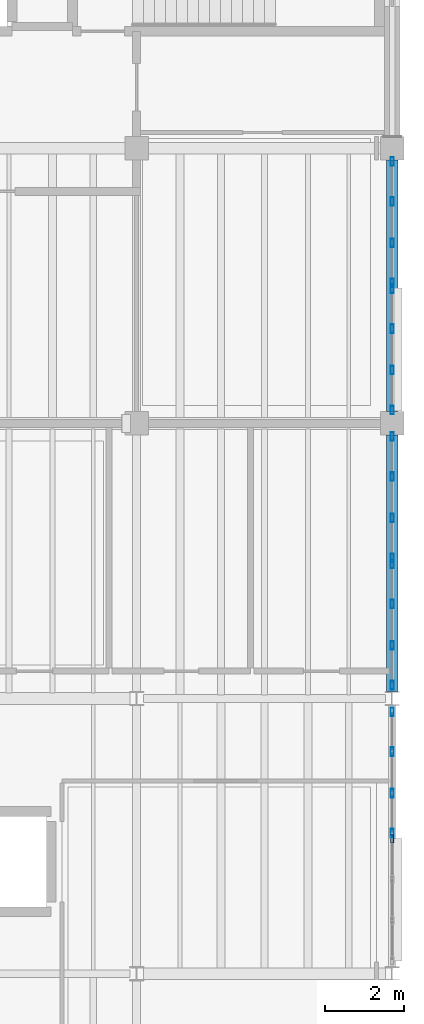
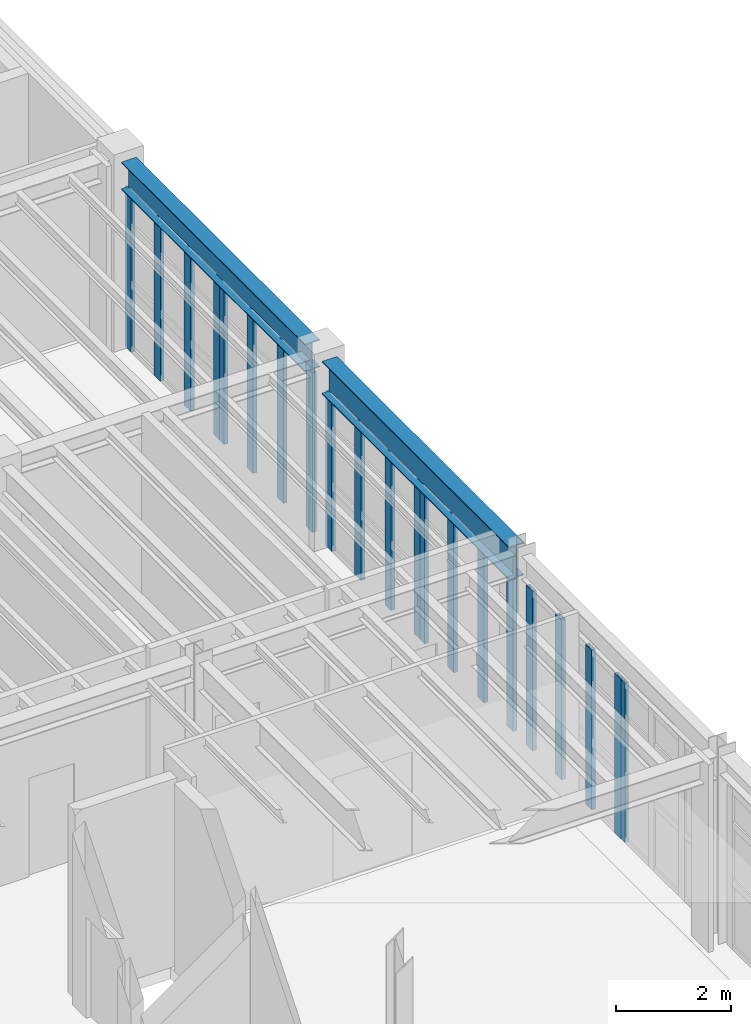
# One storey, part 42 of 77: 21 members, 2 beams, 6 elements without a shape of their own.
"""IFC4 building model written with IfcOpenShell, lengths in metres."""

import ifcopenshell
import ifcopenshell.guid

model = None  # the IFC model being written
_history = None  # IfcOwnerHistory: only IFC2X3 demands one
_inside = {}  # id of a spatial element -> (the spatial element, [elements in it])
_under = {}  # id of a project, library or spatial element -> (it, [spatial elements below it])
_declared = {}  # id of a project -> (the project, [libraries it declares])
_typed = {}  # id of a type object -> (the type object, [elements of that type])
_made_of = {}  # id of a material, layer set ... -> (it, [elements and type objects made of it])


def new_model(schema):
    """Start an empty IFC model of exactly this schema.

    Asked for "IFC4X3", IfcOpenShell would pick the latest addendum, in which some entities
    have other attributes; the version numbers below select the first issue.
    IFC2X3 requires an IfcOwnerHistory on every rooted entity: one is made here for all.
    """
    global model, _history
    if schema == "IFC4X3":
        model = ifcopenshell.file(schema_version=(4, 3, 0, 0))
    else:
        model = ifcopenshell.file(schema=schema)
    _inside.clear()
    _under.clear()
    _declared.clear()
    _typed.clear()
    _made_of.clear()
    _history = None
    if model.schema == "IFC2X3":
        org = make("IfcOrganization", Name="unknown")
        user = make(
            "IfcPersonAndOrganization",
            ThePerson=make("IfcPerson", FamilyName="unknown"),
            TheOrganization=org,
        )
        app = make(
            "IfcApplication",
            ApplicationDeveloper=org,
            Version="unknown",
            ApplicationFullName="unknown",
            ApplicationIdentifier="unknown",
        )
        _history = make(
            "IfcOwnerHistory",
            OwningUser=user,
            OwningApplication=app,
            ChangeAction="ADDED",
            CreationDate=0,
        )
    return model


def make(cls, **values):
    """One entity of the class cls with the attributes given. An attribute that is None is left unset."""
    return model.create_entity(
        cls, **{name: value for name, value in values.items() if value is not None}
    )


def rooted(cls, **values):
    """An entity with a GlobalId (a new one), such as an element, a storey or a relation."""
    return make(cls, GlobalId=ifcopenshell.guid.new(), OwnerHistory=_history, **values)


def si_unit(unit_type, name, prefix=None):
    """IfcSIUnit, for example si_unit("LENGTHUNIT", "METRE", prefix="MILLI")."""
    return make("IfcSIUnit", UnitType=unit_type, Prefix=prefix, Name=name)


def assignment(units):
    """IfcUnitAssignment: the units of a project."""
    return None if units is None else make("IfcUnitAssignment", Units=units)


def point(xyz):
    """IfcCartesianPoint."""
    return None if xyz is None else make("IfcCartesianPoint", Coordinates=xyz)


def direction(xyz):
    """IfcDirection."""
    return None if xyz is None else make("IfcDirection", DirectionRatios=xyz)


def frame(location, z_axis=None, x_axis=None):
    """IfcAxis2Placement3D, a coordinate frame: its origin and axes. An axis left out is left unset."""
    return make(
        "IfcAxis2Placement3D",
        Location=point(location),
        Axis=direction(z_axis),
        RefDirection=direction(x_axis),
    )


def frame_2d(location, x_axis=None):
    """IfcAxis2Placement2D, a coordinate frame in the plane: its origin and x axis."""
    return make(
        "IfcAxis2Placement2D", Location=point(location), RefDirection=direction(x_axis)
    )


def origin():
    """The frame at (0, 0, 0) with its axes left unset."""
    return frame((0.0, 0.0, 0.0))


def origin_2d():
    """The frame at (0, 0) in the plane with its x axis left unset."""
    return frame_2d((0.0, 0.0))


def place(relative_to, where):
    """IfcLocalPlacement: puts the frame where relative to a parent placement (None: the world)."""
    return make(
        "IfcLocalPlacement", PlacementRelTo=relative_to, RelativePlacement=where
    )


def context(
    kind, dimensions, precision=None, world=None, true_north=None, identifier=None
):
    """IfcGeometricRepresentationContext, for example the 3D "Model" context."""
    return make(
        "IfcGeometricRepresentationContext",
        ContextIdentifier=identifier,
        ContextType=kind,
        CoordinateSpaceDimension=dimensions,
        Precision=precision,
        WorldCoordinateSystem=world,
        TrueNorth=true_north,
    )


def subcontext(parent, identifier, kind, view, scale=None):
    """IfcGeometricRepresentationSubContext, for example "Body" below "Model"."""
    return make(
        "IfcGeometricRepresentationSubContext",
        ContextIdentifier=identifier,
        ContextType=kind,
        ParentContext=parent,
        TargetScale=scale,
        TargetView=view,
    )


def project(units=None, contexts=None):
    """IfcProject with its units and contexts."""
    return rooted(
        "IfcProject",
        Name="project",
        RepresentationContexts=contexts,
        UnitsInContext=assignment(units),
    )


def spatial(cls, under=None, at=None, **own):
    """A site, building, storey or space (cls), placed at a placement, below another one or the project."""
    s = rooted(cls, ObjectPlacement=at, **own)
    if under is not None:
        _under.setdefault(under.id(), (under, []))[1].append(s)
    return s


def profile(cls, at=None, kind="AREA", **sizes):
    """A parametric profile (cls). Its sizes go by their IFC names, for example OverallWidth=200.0."""
    return make(cls, ProfileType=kind, Position=at, **sizes)


def hollow_rectangle(**sizes):
    """IfcRectangleHollowProfileDef."""
    return profile("IfcRectangleHollowProfileDef", **sizes)


def i_section(**sizes):
    """IfcIShapeProfileDef."""
    return profile("IfcIShapeProfileDef", **sizes)


def extrude(swept, where, along, depth):
    """IfcExtrudedAreaSolid: the profile swept, set in the frame where, extruded along a direction by depth."""
    return make(
        "IfcExtrudedAreaSolid",
        SweptArea=swept,
        Position=where,
        ExtrudedDirection=direction(along),
        Depth=depth,
    )


def shape(context_of_items, identifier, shape_type, items):
    """IfcShapeRepresentation: the items that make up one representation, for example the "Body"."""
    return make(
        "IfcShapeRepresentation",
        ContextOfItems=context_of_items,
        RepresentationIdentifier=identifier,
        RepresentationType=shape_type,
        Items=items,
    )


def material(Name=None, Category=None):
    """IfcMaterial."""
    return make("IfcMaterial", Name=Name, Category=Category)


def material_profile(
    of_material, cross_section, Name=None, Category=None, Priority=None
):
    """IfcMaterialProfile: a cross section and its material."""
    return make(
        "IfcMaterialProfile",
        Name=Name,
        Material=of_material,
        Profile=cross_section,
        Priority=Priority,
        Category=Category,
    )


def profile_set(profiles, Name=None, composite=None):
    """IfcMaterialProfileSet."""
    return make(
        "IfcMaterialProfileSet",
        Name=Name,
        MaterialProfiles=profiles,
        CompositeProfile=composite,
    )


def made_of(thing, what):
    """Note that an element or type object is made of a material, layer set ...; save() writes the relation."""
    if what is not None:
        _made_of.setdefault(what.id(), (what, []))[1].append(thing)
    return thing


def type_object(cls, material=None, **own):
    """A type object (cls), such as IfcWallType, which elements share."""
    return made_of(rooted(cls, **own), material)


def element(
    cls,
    number,
    at=None,
    inside=None,
    cuts=None,
    type_object=None,
    material=None,
    context=None,
    identifier="Body",
    shape_type=None,
    held_by="IfcProductDefinitionShape",
    body=None,
    shapes=None,
    **own,
):
    """One element of the class cls, such as IfcWall. Its Tag is "e" and its number.

    at: its placement. inside: the storey or other place that contains it. cuts: it is an
    opening in that element (IfcRelVoidsElement). A single representation is given by context,
    identifier, shape_type and body (its items); several are given by shapes. held_by: the class
    of the entity that holds the representations. save() writes the other relations.
    """
    e = rooted(cls, Tag="e%d" % number, ObjectPlacement=at, **own)
    if body is not None:
        shapes = [shape(context, identifier, shape_type, body)]
    if shapes is not None:
        e.Representation = make(held_by, Representations=shapes)
    if inside is not None:
        _inside.setdefault(inside.id(), (inside, []))[1].append(e)
    if cuts is not None:
        rooted(
            "IfcRelVoidsElement", RelatingBuildingElement=cuts, RelatedOpeningElement=e
        )
    if type_object is not None:
        _typed.setdefault(type_object.id(), (type_object, []))[1].append(e)
    return made_of(e, material)


def aggregate(whole, parts):
    """IfcRelAggregates: a whole, such as a stair, and the parts it consists of."""
    return rooted("IfcRelAggregates", RelatingObject=whole, RelatedObjects=parts)


def save(model, path):
    """Write the relations noted so far, then the file.

    IfcRelAggregates (storeys below a building ...), IfcRelContainedInSpatialStructure (elements
    in a storey), IfcRelDefinesByType, IfcRelAssociatesMaterial and IfcRelDeclares: one each for
    every whole, place, type object, material and project.
    """
    for whole, parts in _under.values():
        aggregate(whole, parts)
    for where, things in _inside.values():
        rooted(
            "IfcRelContainedInSpatialStructure",
            RelatedElements=things,
            RelatingStructure=where,
        )
    for kind, things in _typed.values():
        rooted("IfcRelDefinesByType", RelatedObjects=things, RelatingType=kind)
    for what, things in _made_of.values():
        rooted("IfcRelAssociatesMaterial", RelatedObjects=things, RelatingMaterial=what)
    for by, libraries in _declared.values():
        rooted("IfcRelDeclares", RelatingContext=by, RelatedDefinitions=libraries)
    model.write(path)


model = new_model("IFC4")

# Units and contexts
model_context = context("Model", 3, precision=1e-05, world=origin(), true_north=direction((0.0, 1.0)))
body_context = subcontext(model_context, "Body", "Model", "MODEL_VIEW")
ifc_project = project(units=[si_unit("LENGTHUNIT", "METRE"), si_unit("AREAUNIT", "SQUARE_METRE"), si_unit("VOLUMEUNIT", "CUBIC_METRE"), si_unit("PLANEANGLEUNIT", "RADIAN"), si_unit("MASSUNIT", "GRAM", prefix="KILO"), si_unit("THERMODYNAMICTEMPERATUREUNIT", "KELVIN"), si_unit("POWERUNIT", "WATT")], contexts=[model_context])

# Site, building, storey
site_placement = place(None, origin())
site = spatial("IfcSite", under=ifc_project, at=site_placement, CompositionType="ELEMENT")
building_placement = place(site_placement, origin())
building = spatial("IfcBuilding", under=site, at=building_placement, Name="Zhenchuan Central Fire Station", CompositionType="ELEMENT")
storey_placement = place(building_placement, frame((0.0, 0.0, 10.050048828125)))
storey = spatial("IfcBuildingStorey", under=building, at=storey_placement, Name="L03", CompositionType="ELEMENT", Elevation=10.050048828125)

# Beams
ifc_material_1 = material(Name="Steel Q355B", Category="steel")
ifc_material_profile_1 = material_profile(ifc_material_1, i_section(OverallWidth=0.300048828125, OverallDepth=0.587890625, WebThickness=0.011962890625, FlangeThickness=0.02001953125, FilletRadius=0.02392578125, at=origin_2d()), Name="HM 588x300")
ifc_profile_set_1 = profile_set([ifc_material_profile_1], Name="Steel Q355B")
beam_type_1 = type_object("IfcBeamType", Name="BM-HM588-EXT", PredefinedType="BEAM", material=ifc_profile_set_1)
beam_1_placement = place(storey_placement, frame((161.0, 42.800048828125, 3.7060546875), z_axis=(0.0, 1.0, 0.0), x_axis=(-1.0, 0.0, 0.0)))
element("IfcBeam", 1, at=beam_1_placement, inside=storey, type_object=beam_type_1, Name="L04 Girder NS 0429", PredefinedType="BEAM", context=body_context, shape_type="SweptSolid", body=[
    extrude(i_section(OverallWidth=0.300048828125, OverallDepth=0.587890625, WebThickness=0.011962890625, FlangeThickness=0.02001953125, FilletRadius=0.02392578125, at=origin_2d()), origin(), (0.0, 0.0, 1.0), 6.39990234375),
])
ifc_material_profile_2 = material_profile(ifc_material_1, i_section(OverallWidth=0.300048828125, OverallDepth=0.699951171875, WebThickness=0.012939453125, FlangeThickness=0.02392578125, FilletRadius=0.02392578125, at=origin_2d()), Name="HN 700x300")
ifc_profile_set_2 = profile_set([ifc_material_profile_2], Name="Steel Q355B")
beam_type_2 = type_object("IfcBeamType", Name="BM-HN700-EXT", PredefinedType="BEAM", material=ifc_profile_set_2)
beam_2_placement = place(storey_placement, frame((161.0, 35.675048828125, 3.64990234375), z_axis=(0.0, 1.0, 0.0), x_axis=(-1.0, 0.0, 0.0)))
element("IfcBeam", 2, at=beam_2_placement, inside=storey, type_object=beam_type_2, Name="L04 Girder NS 0428", PredefinedType="BEAM", context=body_context, shape_type="SweptSolid", body=[
    extrude(i_section(OverallWidth=0.300048828125, OverallDepth=0.699951171875, WebThickness=0.012939453125, FlangeThickness=0.02392578125, FilletRadius=0.02392578125, at=origin_2d()), origin(), (0.0, 0.0, 1.0), 6.52490234375),
])

# Curtain wall, member
ifc_material_2 = material(Name="Anodised aluminium and low-E glazing", Category="aluminium")
curtain_wall_type_1 = type_object("IfcCurtainWallType", Name="CW-MOD-11", PredefinedType="USERDEFINED", material=ifc_material_2)
curtain_wall_1_placement = place(storey_placement, origin())
curtain_wall_1 = element("IfcCurtainWall", 3, at=curtain_wall_1_placement, inside=storey, type_object=curtain_wall_type_1, Name="L03 Unitised Curtain Wall 108", ObjectType="UNITISED GLAZING", PredefinedType="USERDEFINED")
ifc_material_3 = material(Name="Anodised aluminium EN AW-6063", Category="aluminium")
ifc_material_profile_3 = material_profile(ifc_material_3, hollow_rectangle(XDim=0.074951171875, YDim=0.199951171875, WallThickness=0.0048828125, at=origin_2d()), Name="ALU-M 200x75")
ifc_profile_set_3 = profile_set([ifc_material_profile_3], Name="Anodised aluminium EN AW-6063")
member_type_1 = type_object("IfcMemberType", Name="CW-MUL160", PredefinedType="MULLION", material=ifc_profile_set_3)
member_1_placement = place(storey_placement, frame((161.0, 31.929443359375, -0.004150390625), z_axis=(0.0, 0.0, 1.0), x_axis=(-1.0, 0.0, 0.0)))
member_1 = element("IfcMember", 4, at=member_1_placement, type_object=member_type_1, Name="CW-11 mullion 4", PredefinedType="MULLION", context=body_context, shape_type="SweptSolid", body=[
    extrude(hollow_rectangle(XDim=0.074951171875, YDim=0.199951171875, WallThickness=0.0048828125, at=origin_2d()), origin(), (0.0, 0.0, 1.0), 3.404052734375),
])
aggregate(curtain_wall_1, [member_1])

# Curtain wall, members
curtain_wall_type_2 = type_object("IfcCurtainWallType", Name="CW-MOD-12", PredefinedType="USERDEFINED", material=ifc_material_2)
curtain_wall_2_placement = place(storey_placement, origin())
curtain_wall_2 = element("IfcCurtainWall", 5, at=curtain_wall_2_placement, inside=storey, type_object=curtain_wall_type_2, Name="L03 Unitised Curtain Wall 109", ObjectType="UNITISED GLAZING", PredefinedType="USERDEFINED")
ifc_material_profile_4 = material_profile(ifc_material_3, hollow_rectangle(XDim=0.080078125, YDim=0.219970703125, WallThickness=0.005615234375, at=origin_2d()), Name="ALU-M 220x80")
ifc_profile_set_4 = profile_set([ifc_material_profile_4], Name="Anodised aluminium EN AW-6063")
member_type_2 = type_object("IfcMemberType", Name="CW-MUL200", PredefinedType="MULLION", material=ifc_profile_set_4)
member_2_placement = place(storey_placement, frame((161.0, 32.075439453125, -0.004150390625), z_axis=(0.0, 0.0, 1.0), x_axis=(-1.0, 0.0, 0.0)))
member_2 = element("IfcMember", 6, at=member_2_placement, type_object=member_type_2, Name="CW-12 mullion 1", PredefinedType="MULLION", context=body_context, shape_type="SweptSolid", body=[
    extrude(hollow_rectangle(XDim=0.080078125, YDim=0.219970703125, WallThickness=0.005615234375, at=origin_2d()), origin(), (0.0, 0.0, 1.0), 3.404052734375),
])
member_3_placement = place(storey_placement, frame((161.0, 33.092041015625, -0.004150390625), z_axis=(0.0, 0.0, 1.0), x_axis=(-1.0, 0.0, 0.0)))
member_3 = element("IfcMember", 7, at=member_3_placement, type_object=member_type_2, Name="CW-12 mullion 2", PredefinedType="MULLION", context=body_context, shape_type="SweptSolid", body=[
    extrude(hollow_rectangle(XDim=0.080078125, YDim=0.219970703125, WallThickness=0.005615234375, at=origin_2d()), origin(), (0.0, 0.0, 1.0), 3.404052734375),
])
member_4_placement = place(storey_placement, frame((161.0, 34.14599609375, -0.004150390625), z_axis=(0.0, 0.0, 1.0), x_axis=(-1.0, 0.0, 0.0)))
member_4 = element("IfcMember", 8, at=member_4_placement, type_object=member_type_2, Name="CW-12 mullion 3", PredefinedType="MULLION", context=body_context, shape_type="SweptSolid", body=[
    extrude(hollow_rectangle(XDim=0.080078125, YDim=0.219970703125, WallThickness=0.005615234375, at=origin_2d()), origin(), (0.0, 0.0, 1.0), 3.404052734375),
])
member_5_placement = place(storey_placement, frame((161.0, 35.16259765625, -0.004150390625), z_axis=(0.0, 0.0, 1.0), x_axis=(-1.0, 0.0, 0.0)))
member_5 = element("IfcMember", 9, at=member_5_placement, type_object=member_type_2, Name="CW-12 mullion 4", PredefinedType="MULLION", context=body_context, shape_type="SweptSolid", body=[
    extrude(hollow_rectangle(XDim=0.080078125, YDim=0.219970703125, WallThickness=0.005615234375, at=origin_2d()), origin(), (0.0, 0.0, 1.0), 3.404052734375),
])
aggregate(curtain_wall_2, [member_2, member_3, member_4, member_5])

curtain_wall_type_3 = type_object("IfcCurtainWallType", Name="CW-MOD-13", PredefinedType="USERDEFINED", material=ifc_material_2)
curtain_wall_3_placement = place(storey_placement, origin())
curtain_wall_3 = element("IfcCurtainWall", 10, at=curtain_wall_3_placement, inside=storey, type_object=curtain_wall_type_3, Name="L03 Unitised Curtain Wall 110", ObjectType="UNITISED GLAZING", PredefinedType="USERDEFINED")
member_6_placement = place(storey_placement, frame((161.0, 35.83740234375, -0.004150390625), z_axis=(0.0, 0.0, 1.0), x_axis=(-1.0, 0.0, 0.0)))
member_6 = element("IfcMember", 11, at=member_6_placement, type_object=member_type_2, Name="CW-13 mullion 1", PredefinedType="MULLION", context=body_context, shape_type="SweptSolid", body=[
    extrude(hollow_rectangle(XDim=0.080078125, YDim=0.219970703125, WallThickness=0.005615234375, at=origin_2d()), origin(), (0.0, 0.0, 1.0), 3.298095703125),
])
member_7_placement = place(storey_placement, frame((161.0, 36.85400390625, -0.004150390625), z_axis=(0.0, 0.0, 1.0), x_axis=(-1.0, 0.0, 0.0)))
member_7 = element("IfcMember", 12, at=member_7_placement, type_object=member_type_2, Name="CW-13 mullion 2", PredefinedType="MULLION", context=body_context, shape_type="SweptSolid", body=[
    extrude(hollow_rectangle(XDim=0.080078125, YDim=0.219970703125, WallThickness=0.005615234375, at=origin_2d()), origin(), (0.0, 0.0, 1.0), 3.298095703125),
])
member_8_placement = place(storey_placement, frame((161.0, 37.907958984375, -0.004150390625), z_axis=(0.0, 0.0, 1.0), x_axis=(-1.0, 0.0, 0.0)))
member_8 = element("IfcMember", 13, at=member_8_placement, type_object=member_type_2, Name="CW-13 mullion 3", PredefinedType="MULLION", context=body_context, shape_type="SweptSolid", body=[
    extrude(hollow_rectangle(XDim=0.080078125, YDim=0.219970703125, WallThickness=0.005615234375, at=origin_2d()), origin(), (0.0, 0.0, 1.0), 3.298095703125),
])
member_9_placement = place(storey_placement, frame((161.0, 38.924560546875, -0.004150390625), z_axis=(0.0, 0.0, 1.0), x_axis=(-1.0, 0.0, 0.0)))
member_9 = element("IfcMember", 14, at=member_9_placement, type_object=member_type_2, Name="CW-13 mullion 4", PredefinedType="MULLION", context=body_context, shape_type="SweptSolid", body=[
    extrude(hollow_rectangle(XDim=0.080078125, YDim=0.219970703125, WallThickness=0.005615234375, at=origin_2d()), origin(), (0.0, 0.0, 1.0), 3.298095703125),
])
aggregate(curtain_wall_3, [member_6, member_7, member_8, member_9])

curtain_wall_type_4 = type_object("IfcCurtainWallType", Name="CW-MOD-14", PredefinedType="USERDEFINED", material=ifc_material_2)
curtain_wall_4_placement = place(storey_placement, origin())
curtain_wall_4 = element("IfcCurtainWall", 15, at=curtain_wall_4_placement, inside=storey, type_object=curtain_wall_type_4, Name="L03 Unitised Curtain Wall 111", ObjectType="UNITISED GLAZING", PredefinedType="USERDEFINED")
member_10_placement = place(storey_placement, frame((161.0, 39.075439453125, -0.004150390625), z_axis=(0.0, 0.0, 1.0), x_axis=(-1.0, 0.0, 0.0)))
member_10 = element("IfcMember", 16, at=member_10_placement, type_object=member_type_2, Name="CW-14 mullion 1", PredefinedType="MULLION", context=body_context, shape_type="SweptSolid", body=[
    extrude(hollow_rectangle(XDim=0.080078125, YDim=0.219970703125, WallThickness=0.005615234375, at=origin_2d()), origin(), (0.0, 0.0, 1.0), 3.298095703125),
])
member_11_placement = place(storey_placement, frame((161.0, 40.092041015625, -0.004150390625), z_axis=(0.0, 0.0, 1.0), x_axis=(-1.0, 0.0, 0.0)))
member_11 = element("IfcMember", 17, at=member_11_placement, type_object=member_type_2, Name="CW-14 mullion 2", PredefinedType="MULLION", context=body_context, shape_type="SweptSolid", body=[
    extrude(hollow_rectangle(XDim=0.080078125, YDim=0.219970703125, WallThickness=0.005615234375, at=origin_2d()), origin(), (0.0, 0.0, 1.0), 3.298095703125),
])
member_12_placement = place(storey_placement, frame((161.0, 41.14599609375, -0.004150390625), z_axis=(0.0, 0.0, 1.0), x_axis=(-1.0, 0.0, 0.0)))
member_12 = element("IfcMember", 18, at=member_12_placement, type_object=member_type_2, Name="CW-14 mullion 3", PredefinedType="MULLION", context=body_context, shape_type="SweptSolid", body=[
    extrude(hollow_rectangle(XDim=0.080078125, YDim=0.219970703125, WallThickness=0.005615234375, at=origin_2d()), origin(), (0.0, 0.0, 1.0), 3.298095703125),
])
member_13_placement = place(storey_placement, frame((161.0, 42.16259765625, -0.004150390625), z_axis=(0.0, 0.0, 1.0), x_axis=(-1.0, 0.0, 0.0)))
member_13 = element("IfcMember", 19, at=member_13_placement, type_object=member_type_2, Name="CW-14 mullion 4", PredefinedType="MULLION", context=body_context, shape_type="SweptSolid", body=[
    extrude(hollow_rectangle(XDim=0.080078125, YDim=0.219970703125, WallThickness=0.005615234375, at=origin_2d()), origin(), (0.0, 0.0, 1.0), 3.298095703125),
])
aggregate(curtain_wall_4, [member_10, member_11, member_12, member_13])

curtain_wall_5_placement = place(storey_placement, origin())
curtain_wall_5 = element("IfcCurtainWall", 20, at=curtain_wall_5_placement, inside=storey, type_object=curtain_wall_type_3, Name="L03 Unitised Curtain Wall 144", ObjectType="UNITISED GLAZING", PredefinedType="USERDEFINED")
member_14_placement = place(storey_placement, frame((161.0, 42.83740234375, -0.004150390625), z_axis=(0.0, 0.0, 1.0), x_axis=(-1.0, 0.0, 0.0)))
member_14 = element("IfcMember", 21, at=member_14_placement, type_object=member_type_2, Name="CW-13 mullion 1", PredefinedType="MULLION", context=body_context, shape_type="SweptSolid", body=[
    extrude(hollow_rectangle(XDim=0.080078125, YDim=0.219970703125, WallThickness=0.005615234375, at=origin_2d()), origin(), (0.0, 0.0, 1.0), 3.404052734375),
])
member_15_placement = place(storey_placement, frame((161.0, 43.85400390625, -0.004150390625), z_axis=(0.0, 0.0, 1.0), x_axis=(-1.0, 0.0, 0.0)))
member_15 = element("IfcMember", 22, at=member_15_placement, type_object=member_type_2, Name="CW-13 mullion 2", PredefinedType="MULLION", context=body_context, shape_type="SweptSolid", body=[
    extrude(hollow_rectangle(XDim=0.080078125, YDim=0.219970703125, WallThickness=0.005615234375, at=origin_2d()), origin(), (0.0, 0.0, 1.0), 3.404052734375),
])
member_16_placement = place(storey_placement, frame((161.0, 44.907958984375, -0.004150390625), z_axis=(0.0, 0.0, 1.0), x_axis=(-1.0, 0.0, 0.0)))
member_16 = element("IfcMember", 23, at=member_16_placement, type_object=member_type_2, Name="CW-13 mullion 3", PredefinedType="MULLION", context=body_context, shape_type="SweptSolid", body=[
    extrude(hollow_rectangle(XDim=0.080078125, YDim=0.219970703125, WallThickness=0.005615234375, at=origin_2d()), origin(), (0.0, 0.0, 1.0), 3.404052734375),
])
member_17_placement = place(storey_placement, frame((161.0, 45.924560546875, -0.004150390625), z_axis=(0.0, 0.0, 1.0), x_axis=(-1.0, 0.0, 0.0)))
member_17 = element("IfcMember", 24, at=member_17_placement, type_object=member_type_2, Name="CW-13 mullion 4", PredefinedType="MULLION", context=body_context, shape_type="SweptSolid", body=[
    extrude(hollow_rectangle(XDim=0.080078125, YDim=0.219970703125, WallThickness=0.005615234375, at=origin_2d()), origin(), (0.0, 0.0, 1.0), 3.404052734375),
])
aggregate(curtain_wall_5, [member_14, member_15, member_16, member_17])

curtain_wall_6_placement = place(storey_placement, origin())
curtain_wall_6 = element("IfcCurtainWall", 25, at=curtain_wall_6_placement, inside=storey, type_object=curtain_wall_type_4, Name="L03 Unitised Curtain Wall 145", ObjectType="UNITISED GLAZING", PredefinedType="USERDEFINED")
member_18_placement = place(storey_placement, frame((161.0, 46.075439453125, -0.004150390625), z_axis=(0.0, 0.0, 1.0), x_axis=(-1.0, 0.0, 0.0)))
member_18 = element("IfcMember", 26, at=member_18_placement, type_object=member_type_2, Name="CW-14 mullion 1", PredefinedType="MULLION", context=body_context, shape_type="SweptSolid", body=[
    extrude(hollow_rectangle(XDim=0.080078125, YDim=0.219970703125, WallThickness=0.005615234375, at=origin_2d()), origin(), (0.0, 0.0, 1.0), 3.404052734375),
])
member_19_placement = place(storey_placement, frame((161.0, 47.092041015625, -0.004150390625), z_axis=(0.0, 0.0, 1.0), x_axis=(-1.0, 0.0, 0.0)))
member_19 = element("IfcMember", 27, at=member_19_placement, type_object=member_type_2, Name="CW-14 mullion 2", PredefinedType="MULLION", context=body_context, shape_type="SweptSolid", body=[
    extrude(hollow_rectangle(XDim=0.080078125, YDim=0.219970703125, WallThickness=0.005615234375, at=origin_2d()), origin(), (0.0, 0.0, 1.0), 3.404052734375),
])
member_20_placement = place(storey_placement, frame((161.0, 48.14599609375, -0.004150390625), z_axis=(0.0, 0.0, 1.0), x_axis=(-1.0, 0.0, 0.0)))
member_20 = element("IfcMember", 28, at=member_20_placement, type_object=member_type_2, Name="CW-14 mullion 3", PredefinedType="MULLION", context=body_context, shape_type="SweptSolid", body=[
    extrude(hollow_rectangle(XDim=0.080078125, YDim=0.219970703125, WallThickness=0.005615234375, at=origin_2d()), origin(), (0.0, 0.0, 1.0), 3.404052734375),
])
member_21_placement = place(storey_placement, frame((161.0, 49.16259765625, -0.004150390625), z_axis=(0.0, 0.0, 1.0), x_axis=(-1.0, 0.0, 0.0)))
member_21 = element("IfcMember", 29, at=member_21_placement, type_object=member_type_2, Name="CW-14 mullion 4", PredefinedType="MULLION", context=body_context, shape_type="SweptSolid", body=[
    extrude(hollow_rectangle(XDim=0.080078125, YDim=0.219970703125, WallThickness=0.005615234375, at=origin_2d()), origin(), (0.0, 0.0, 1.0), 3.404052734375),
])
aggregate(curtain_wall_6, [member_18, member_19, member_20, member_21])

save(model, "model.ifc")
